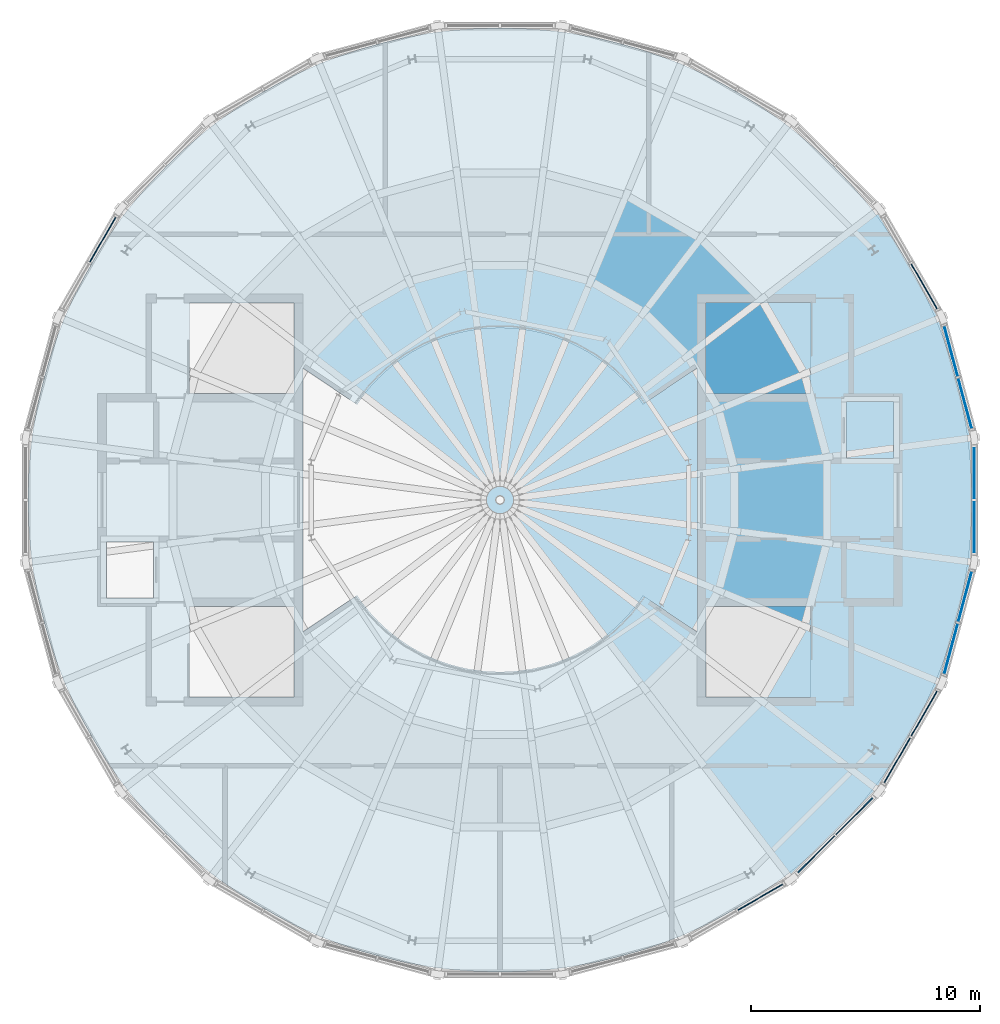
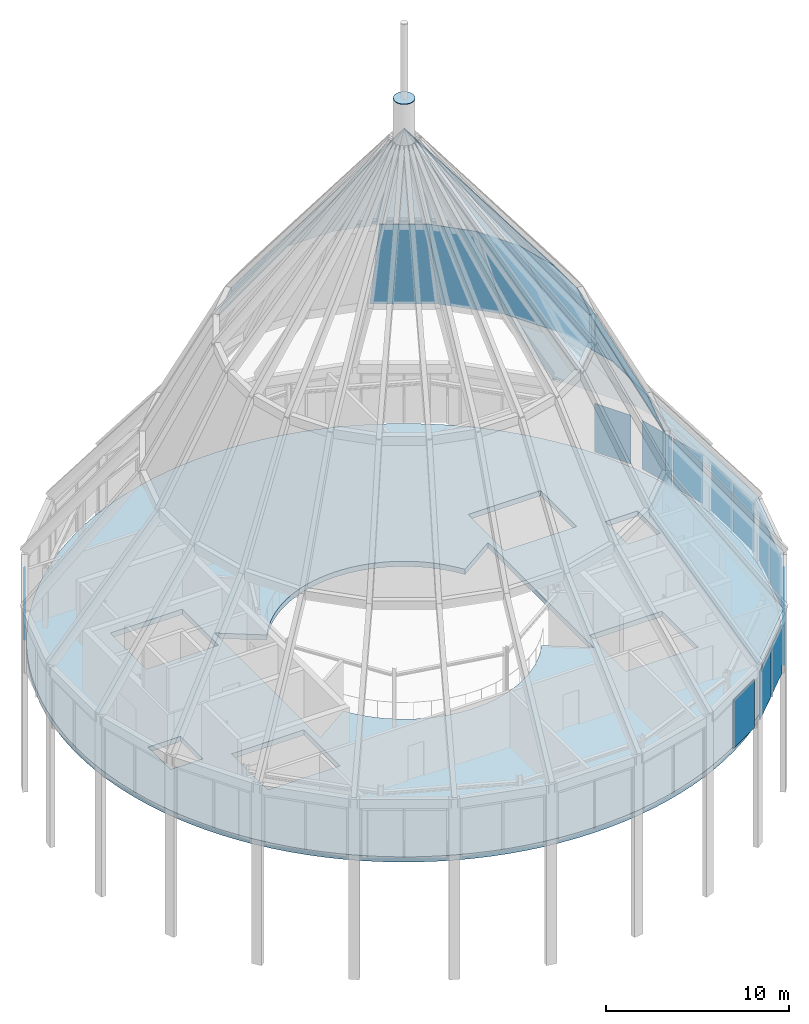
# One storey, part 12 of 16: 39 plates, 1 slab, 8 elements without a shape of their own.
"""IFC4 building model written with IfcOpenShell, lengths in metres."""

from ifc_helpers import new_model, si_unit, direction, frame, origin, origin_2d, place, context, subcontext, project, spatial, polyline, rectangle, outline, extrude, material, layer, layer_set, type_object, element, aggregate, save


model = new_model("IFC4")

# Units and contexts
model_context = context("Model", 3, precision=1e-05, world=origin(), true_north=direction((0.0, 1.0)))
body_context = subcontext(model_context, "Body", "Model", "MODEL_VIEW")
ifc_project = project(units=[si_unit("LENGTHUNIT", "METRE"), si_unit("AREAUNIT", "SQUARE_METRE"), si_unit("VOLUMEUNIT", "CUBIC_METRE"), si_unit("PLANEANGLEUNIT", "RADIAN"), si_unit("MASSUNIT", "GRAM", prefix="KILO")], contexts=[model_context])

# Site, building, storey
site_placement = place(None, origin())
site = spatial("IfcSite", under=ifc_project, at=site_placement, CompositionType="ELEMENT")
building_placement = place(site_placement, origin())
building = spatial("IfcBuilding", under=site, at=building_placement, Name="Maasbend Ring Residences", CompositionType="ELEMENT")
storey_placement = place(building_placement, frame((0.0, 0.0, 269.5)))
storey = spatial("IfcBuildingStorey", under=building, at=storey_placement, Name="L77", CompositionType="ELEMENT", Elevation=269.5)

# Plates
ifc_material_1 = material(Name="Steel S355J2", Category="steel")
ifc_layer_1 = layer(ifc_material_1, 0.0400390625)
ifc_layer_set_1 = layer_set([ifc_layer_1], Name="Steel S355J2")
plate_type_1 = type_object("IfcPlateType", Name="CROWN-CAP", PredefinedType="USERDEFINED", material=ifc_layer_set_1)
plate_1_placement = place(storey_placement, frame((0.0, 0.0, 36.06005859375)))
element("IfcPlate", 1, at=plate_1_placement, inside=storey, type_object=plate_type_1, Name="Crown frame cap", ObjectType="CROWN FRAME", PredefinedType="USERDEFINED", context=body_context, shape_type="SweptSolid", body=[
    extrude(outline(polyline([(0.60009765625, 0.0), (0.57958984375, 0.1552734375), (0.51953125, 0.300048828125), (0.42431640625, 0.42431640625), (0.300048828125, 0.51953125), (0.1552734375, 0.57958984375), (0.0, 0.60009765625), (-0.1552734375, 0.57958984375), (-0.300048828125, 0.51953125), (-0.42431640625, 0.42431640625), (-0.51953125, 0.300048828125), (-0.57958984375, 0.1552734375), (-0.60009765625, 0.0), (-0.57958984375, -0.1552734375), (-0.51953125, -0.300048828125), (-0.42431640625, -0.42431640625), (-0.300048828125, -0.51953125), (-0.1552734375, -0.57958984375), (0.0, -0.60009765625), (0.1552734375, -0.57958984375), (0.300048828125, -0.51953125), (0.42431640625, -0.42431640625), (0.51953125, -0.300048828125), (0.57958984375, -0.1552734375), (0.60009765625, 0.0)])), origin(), (0.0, 0.0, 1.0), 0.0400390625),
])
ifc_material_2 = material(Name="Glass clear laminated", Category="glass")
ifc_layer_2 = layer(ifc_material_2, 0.044921875)
ifc_layer_set_2 = layer_set([ifc_layer_2], Name="CROWN-GLASS")
plate_type_2 = type_object("IfcPlateType", Name="CROWN-GLASS", PredefinedType="SHEET", material=ifc_layer_set_2)
plate_2_placement = place(storey_placement, frame((20.69140625, 2.72412109375, 4.0), z_axis=(0.767912969767, 0.205755374284, 0.606608932359), x_axis=(-0.258819846719, 0.965925611432, 1.10968e-05)))
element("IfcPlate", 2, at=plate_2_placement, inside=storey, type_object=plate_type_2, Name="Crown glazing sheet", PredefinedType="SHEET", context=body_context, shape_type="SweptSolid", body=[
    extrude(outline(polyline([(0.0, 0.0), (5.448112790301781, -1.1102230246251565e-16), (4.601567506838512, 10.60116154982748), (0.8467106041572189, 10.601290007020706), (0.0, 0.0)])), origin(), (0.0, 0.0, -1.0), 0.044921875),
])
plate_3_placement = place(storey_placement, frame((14.260498046875, 1.87744140625, 12.427978515625), z_axis=(0.865821604581, 0.231991613921, 0.443320245547), x_axis=(-0.25880742201, 0.965928940506, -1.4338257e-05)))
element("IfcPlate", 3, at=plate_3_placement, inside=storey, type_object=plate_type_2, Name="Crown glazing sheet", PredefinedType="SHEET", context=body_context, shape_type="SweptSolid", body=[
    extrude(outline(polyline([(0.0, 0.0), (3.7548569042373616, 0.0), (3.2254789158718347, 9.066635595863435), (0.5290774615641951, 9.066532401320881), (0.0, 0.0)])), origin(), (0.0, 0.0, -1.0), 0.044921875),
])
plate_4_placement = place(storey_placement, frame((10.2412109375, 1.348388671875, 20.554931640625), z_axis=(0.770478310487, 0.206486453851, 0.603097436112), x_axis=(-0.258862805663, 0.96591409962, 0.0)))
element("IfcPlate", 4, at=plate_4_placement, inside=storey, type_object=plate_type_2, Name="Crown glazing sheet", PredefinedType="SHEET", context=body_context, shape_type="SweptSolid", body=[
    extrude(outline(polyline([(0.0, 0.0), (2.6964014590171566, -5.551115123125783e-17), (1.348640966736256, 16.980967092910035), (0.0, 0.0)])), origin(), (0.0, 0.0, -1.0), 0.044921875),
])
plate_5_placement = place(storey_placement, frame((19.28125, 7.986572265625, 4.0), z_axis=(0.688495625981, 0.397490490515, 0.606609497911), x_axis=(-0.499981684888, 0.866035977707, -9.664316e-06)))
element("IfcPlate", 5, at=plate_5_placement, inside=storey, type_object=plate_type_2, Name="Crown glazing sheet", PredefinedType="SHEET", context=body_context, shape_type="SweptSolid", body=[
    extrude(outline(polyline([(0.0, 0.0), (5.448072989126844, 0.0), (4.60115268365316, 10.601287467105307), (0.8463693965755011, 10.601175593745907), (0.0, 0.0)])), origin(), (0.0, 0.0, -1.0), 0.044921875),
])
plate_6_placement = place(storey_placement, frame((13.288818359375, 5.50439453125, 12.427978515625), z_axis=(0.776282381742, 0.448164423316, 0.443321907276), x_axis=(-0.49998753304, 0.866032601343, 1.468828e-05)))
element("IfcPlate", 6, at=plate_6_placement, inside=storey, type_object=plate_type_2, Name="Crown glazing sheet", PredefinedType="SHEET", context=body_context, shape_type="SweptSolid", body=[
    extrude(outline(polyline([(0.0, 0.0), (3.7547832876865948, 0.0), (3.22584460832971, 9.066539453562845), (0.5292139877502429, 9.066645169917328), (0.0, 0.0)])), origin(), (0.0, 0.0, -1.0), 0.044921875),
])
plate_7_placement = place(storey_placement, frame((9.543212890625, 3.952880859375, 20.554931640625), z_axis=(0.690828865447, 0.398782876333, 0.60309841337), x_axis=(-0.499936668556, 0.866061965123, 0.0)))
element("IfcPlate", 7, at=plate_7_placement, inside=storey, type_object=plate_type_2, Name="Crown glazing sheet", PredefinedType="SHEET", context=body_context, shape_type="SweptSolid", body=[
    extrude(outline(polyline([(0.0, 0.0), (2.696630625521276, 0.0), (1.347562294894939, 16.980982822452425), (0.0, 0.0)])), origin(), (0.0, 0.0, -1.0), 0.044921875),
])
plate_8_placement = place(storey_placement, frame((11.411376953125, 8.756103515625, 12.427978515625), z_axis=(0.633829130481, 0.633829130481, 0.443307192257), x_axis=(-0.707106781187, 0.707106781187, 0.0)))
element("IfcPlate", 8, at=plate_8_placement, inside=storey, type_object=plate_type_2, Name="Crown glazing sheet", PredefinedType="SHEET", context=body_context, shape_type="SweptSolid", body=[
    extrude(outline(polyline([(0.0, 0.0), (3.755123707121529, 0.0), (3.225829422180622, 9.06651870151586), (0.529294284940907, 9.06651870151586), (0.0, 0.0)])), origin(), (0.0, 0.0, -1.0), 0.044921875),
])
plate_9_placement = place(storey_placement, frame((8.195068359375, 6.288330078125, 20.554931640625), z_axis=(0.564033482076, 0.564033482076, 0.603102364606), x_axis=(-0.707106781187, 0.707106781187, 0.0)))
element("IfcPlate", 9, at=plate_9_placement, inside=storey, type_object=plate_type_2, Name="Crown glazing sheet", PredefinedType="SHEET", context=body_context, shape_type="SweptSolid", body=[
    extrude(outline(polyline([(0.0, 0.0), (2.696535137239715, 0.0), (1.3482675686198569, 16.981046420657684), (0.0, 0.0)])), origin(), (0.0, 0.0, -1.0), 0.044921875),
])
plate_10_placement = place(storey_placement, frame((8.756103515625, 11.411376953125, 12.427978515625), z_axis=(0.448164423316, 0.776282381742, 0.443321907276), x_axis=(-0.866032601343, 0.49998753304, -1.468828e-05)))
element("IfcPlate", 10, at=plate_10_placement, inside=storey, type_object=plate_type_2, Name="Crown glazing sheet", PredefinedType="SHEET", context=body_context, shape_type="SweptSolid", body=[
    extrude(outline(polyline([(0.0, 0.0), (3.7547832876865948, 0.0), (3.2255692999363523, 9.066645169917328), (0.5289386793568851, 9.066539453562845), (0.0, 0.0)])), origin(), (0.0, 0.0, -1.0), 0.044921875),
])
plate_11_placement = place(storey_placement, frame((6.288330078125, 8.195068359375, 20.554931640625), z_axis=(0.398782876333, 0.690828865447, 0.60309841337), x_axis=(-0.866061965123, 0.499936668556, 0.0)))
element("IfcPlate", 11, at=plate_11_placement, inside=storey, type_object=plate_type_2, Name="Crown glazing sheet", PredefinedType="SHEET", context=body_context, shape_type="SweptSolid", body=[
    extrude(outline(polyline([(0.0, 0.0), (2.696630625521276, 0.0), (1.3490683306263374, 16.980982822452425), (0.0, 0.0)])), origin(), (0.0, 0.0, -1.0), 0.044921875),
])
plate_12_placement = place(storey_placement, frame((3.952880859375, 9.543212890625, 20.554931640625), z_axis=(0.206486453851, 0.770478310487, 0.603097436112), x_axis=(-0.96591409962, 0.258862805663, 0.0)))
element("IfcPlate", 12, at=plate_12_placement, inside=storey, type_object=plate_type_2, Name="Crown glazing sheet", PredefinedType="SHEET", context=body_context, shape_type="SweptSolid", body=[
    extrude(outline(polyline([(0.0, 0.0), (2.6964014590171566, 5.551115123125783e-17), (1.3477604922809001, 16.980967092910035), (0.0, 0.0)])), origin(), (0.0, 0.0, -1.0), 0.044921875),
])
plate_13_placement = place(storey_placement, frame((1.348388671875, 10.2412109375, 20.554931640625), z_axis=(0.0, 0.797666585173, 0.603098680897), x_axis=(-1.0, 0.0, 0.0)))
element("IfcPlate", 13, at=plate_13_placement, inside=storey, type_object=plate_type_2, Name="Crown glazing sheet", PredefinedType="SHEET", context=body_context, shape_type="SweptSolid", body=[
    extrude(outline(polyline([(0.0, 0.0), (2.69677734375, 0.0), (1.348388671875, 16.980987128468474), (0.0, 0.0)])), origin(), (0.0, 0.0, -1.0), 0.044921875),
])
plate_14_placement = place(storey_placement, frame((-1.348388671875, 10.2412109375, 20.554931640625), z_axis=(-0.206486453851, 0.770478310487, 0.603097436112), x_axis=(-0.96591409962, -0.258862805663, 0.0)))
element("IfcPlate", 14, at=plate_14_placement, inside=storey, type_object=plate_type_2, Name="Crown glazing sheet", PredefinedType="SHEET", context=body_context, shape_type="SweptSolid", body=[
    extrude(outline(polyline([(0.0, 0.0), (2.6964014590171566, -5.551115123125783e-17), (1.348640966736256, 16.980967092910035), (0.0, 0.0)])), origin(), (0.0, 0.0, -1.0), 0.044921875),
])
plate_15_placement = place(storey_placement, frame((-3.952880859375, 9.543212890625, 20.554931640625), z_axis=(-0.398782876333, 0.690828865447, 0.60309841337), x_axis=(-0.866061965123, -0.499936668556, 0.0)))
element("IfcPlate", 15, at=plate_15_placement, inside=storey, type_object=plate_type_2, Name="Crown glazing sheet", PredefinedType="SHEET", context=body_context, shape_type="SweptSolid", body=[
    extrude(outline(polyline([(0.0, 0.0), (2.696630625521276, 0.0), (1.347562294894939, 16.980982822452425), (0.0, 0.0)])), origin(), (0.0, 0.0, -1.0), 0.044921875),
])
plate_16_placement = place(storey_placement, frame((-6.288330078125, 8.195068359375, 20.554931640625), z_axis=(-0.564033482076, 0.564033482076, 0.603102364606), x_axis=(-0.707106781187, -0.707106781187, 0.0)))
element("IfcPlate", 16, at=plate_16_placement, inside=storey, type_object=plate_type_2, Name="Crown glazing sheet", PredefinedType="SHEET", context=body_context, shape_type="SweptSolid", body=[
    extrude(outline(polyline([(0.0, 0.0), (2.696535137239715, 0.0), (1.3482675686198569, 16.981046420657684), (0.0, 0.0)])), origin(), (0.0, 0.0, -1.0), 0.044921875),
])
plate_17_placement = place(storey_placement, frame((12.704833984375, -16.557373046875, 4.0), z_axis=(0.562145508839, -0.562145508839, 0.606617551498), x_axis=(0.707106781187, 0.707106781187, 0.0)))
element("IfcPlate", 17, at=plate_17_placement, inside=storey, type_object=plate_type_2, Name="Crown glazing sheet", PredefinedType="SHEET", context=body_context, shape_type="SweptSolid", body=[
    extrude(outline(polyline([(0.0, 0.0), (5.44831299175963, 0.0), (4.60171834944058, 10.601313479147674), (0.84659464231905, 10.601313479147672), (0.0, 0.0)])), origin(), (0.0, 0.0, -1.0), 0.044921875),
])
plate_18_placement = place(storey_placement, frame((6.288330078125, -8.195068359375, 20.554931640625), z_axis=(0.564033482076, -0.564033482076, 0.603102364606), x_axis=(0.707106781187, 0.707106781187, 0.0)))
element("IfcPlate", 18, at=plate_18_placement, inside=storey, type_object=plate_type_2, Name="Crown glazing sheet", PredefinedType="SHEET", context=body_context, shape_type="SweptSolid", body=[
    extrude(outline(polyline([(0.0, 0.0), (2.696535137239715, 0.0), (1.3482675686198569, 16.981046420657684), (0.0, 0.0)])), origin(), (0.0, 0.0, -1.0), 0.044921875),
])
plate_19_placement = place(storey_placement, frame((16.557373046875, -12.704833984375, 4.0), z_axis=(0.688495625981, -0.397490490515, 0.606609497911), x_axis=(0.499981684888, 0.866035977707, 9.664316e-06)))
element("IfcPlate", 19, at=plate_19_placement, inside=storey, type_object=plate_type_2, Name="Crown glazing sheet", PredefinedType="SHEET", context=body_context, shape_type="SweptSolid", body=[
    extrude(outline(polyline([(0.0, 0.0), (5.448072989126844, 0.0), (4.601703592551343, 10.601175593745907), (0.8469203054736861, 10.601287467105307), (0.0, 0.0)])), origin(), (0.0, 0.0, -1.0), 0.044921875),
])
plate_20_placement = place(storey_placement, frame((8.195068359375, -6.288330078125, 20.554931640625), z_axis=(0.690828865447, -0.398782876333, 0.60309841337), x_axis=(0.499936668556, 0.866061965123, 0.0)))
element("IfcPlate", 20, at=plate_20_placement, inside=storey, type_object=plate_type_2, Name="Crown glazing sheet", PredefinedType="SHEET", context=body_context, shape_type="SweptSolid", body=[
    extrude(outline(polyline([(0.0, 0.0), (2.696630625521276, 0.0), (1.3490683306263374, 16.980982822452425), (0.0, 0.0)])), origin(), (0.0, 0.0, -1.0), 0.044921875),
])
plate_21_placement = place(storey_placement, frame((19.28125, -7.986572265625, 4.0), z_axis=(0.767912969767, -0.205755374284, 0.606608932359), x_axis=(0.258819846719, 0.965925611432, -1.10968e-05)))
element("IfcPlate", 21, at=plate_21_placement, inside=storey, type_object=plate_type_2, Name="Crown glazing sheet", PredefinedType="SHEET", context=body_context, shape_type="SweptSolid", body=[
    extrude(outline(polyline([(0.0, 0.0), (5.448112790301781, 1.1102230246251565e-16), (4.601402186144563, 10.601290007020706), (0.84654528346327, 10.60116154982748), (0.0, 0.0)])), origin(), (0.0, 0.0, -1.0), 0.044921875),
])
plate_22_placement = place(storey_placement, frame((13.288818359375, -5.50439453125, 12.427978515625), z_axis=(0.865821604581, -0.231991613921, 0.443320245547), x_axis=(0.25880742201, 0.965928940506, 1.4338257e-05)))
element("IfcPlate", 22, at=plate_22_placement, inside=storey, type_object=plate_type_2, Name="Crown glazing sheet", PredefinedType="SHEET", context=body_context, shape_type="SweptSolid", body=[
    extrude(outline(polyline([(0.0, 0.0), (3.7548569042373616, 0.0), (3.2257794426731663, 9.066532401320881), (0.5293779883655266, 9.066635595863435), (0.0, 0.0)])), origin(), (0.0, 0.0, -1.0), 0.044921875),
])
plate_23_placement = place(storey_placement, frame((9.543212890625, -3.952880859375, 20.554931640625), z_axis=(0.770478310487, -0.206486453851, 0.603097436112), x_axis=(0.258862805663, 0.96591409962, 0.0)))
element("IfcPlate", 23, at=plate_23_placement, inside=storey, type_object=plate_type_2, Name="Crown glazing sheet", PredefinedType="SHEET", context=body_context, shape_type="SweptSolid", body=[
    extrude(outline(polyline([(0.0, 0.0), (2.6964014590171566, 5.551115123125783e-17), (1.3477604922809001, 16.980967092910035), (0.0, 0.0)])), origin(), (0.0, 0.0, -1.0), 0.044921875),
])
plate_24_placement = place(storey_placement, frame((20.69140625, -2.72412109375, 4.0), z_axis=(0.794995377605, 0.0, 0.606615487428), x_axis=(0.0, 1.0, 0.0)))
element("IfcPlate", 24, at=plate_24_placement, inside=storey, type_object=plate_type_2, Name="Crown glazing sheet", PredefinedType="SHEET", context=body_context, shape_type="SweptSolid", body=[
    extrude(outline(polyline([(0.0, 0.0), (5.4482421875, 0.0), (4.6015625, 10.601292476715138), (0.8466796875, 10.601292476715138), (0.0, 0.0)])), origin(), (0.0, 0.0, -1.0), 0.044921875),
])
plate_25_placement = place(storey_placement, frame((14.260498046875, -1.87744140625, 12.427978515625), z_axis=(0.896368255376, 0.0, 0.443310219546), x_axis=(0.0, 1.0, 0.0)))
element("IfcPlate", 25, at=plate_25_placement, inside=storey, type_object=plate_type_2, Name="Crown glazing sheet", PredefinedType="SHEET", context=body_context, shape_type="SweptSolid", body=[
    extrude(outline(polyline([(0.0, 0.0), (3.7548828125, 0.0), (3.225830078125, 9.066533845055414), (0.529052734375, 9.066533845055414), (0.0, 0.0)])), origin(), (0.0, 0.0, -1.0), 0.044921875),
])
plate_26_placement = place(storey_placement, frame((10.2412109375, -1.348388671875, 20.554931640625), z_axis=(0.797666585173, 0.0, 0.603098680897), x_axis=(0.0, 1.0, 0.0)))
element("IfcPlate", 26, at=plate_26_placement, inside=storey, type_object=plate_type_2, Name="Crown glazing sheet", PredefinedType="SHEET", context=body_context, shape_type="SweptSolid", body=[
    extrude(outline(polyline([(0.0, 0.0), (2.69677734375, 0.0), (1.348388671875, 16.980987128468474), (0.0, 0.0)])), origin(), (0.0, 0.0, -1.0), 0.044921875),
])

# Curtain wall, plates
ifc_material_3 = material(Name="Aluminium and clear glass", Category="aluminium")
ifc_layer_3 = layer(ifc_material_3, 0.239990234375)
ifc_layer_set_3 = layer_set([ifc_layer_3], Name="CW-CN")
curtain_wall_type = type_object("IfcCurtainWallType", Name="CW-CN", PredefinedType="NOTDEFINED", material=ifc_layer_set_3)
curtain_wall_1_placement = place(storey_placement, origin())
curtain_wall_1 = element("IfcCurtainWall", 27, at=curtain_wall_1_placement, inside=storey, type_object=curtain_wall_type, Name="Crown drum glazing 01 L77", PredefinedType="NOTDEFINED")
ifc_material_4 = material(Name="Glass clear laminated", Category="glass")
ifc_layer_4 = layer(ifc_material_4, 0.0400390625)
ifc_layer_set_4 = layer_set([ifc_layer_4], Name="CWP-CN")
plate_type_3 = type_object("IfcPlateType", Name="CWP-CN", PredefinedType="CURTAIN_PANEL", material=ifc_layer_set_4)
plate_27_placement = place(storey_placement, frame((20.291748046875, 4.216064453125, 0.0), z_axis=(0.0, 0.0, 1.0), x_axis=(-0.258819045103, 0.965925826289, 0.0)))
plate_27 = element("IfcPlate", 28, at=plate_27_placement, type_object=plate_type_3, Name="Glass panel crown cone", PredefinedType="CURTAIN_PANEL", context=body_context, shape_type="SweptSolid", body=[
    extrude(rectangle(XDim=2.26904296875, YDim=0.0400390625, at=origin_2d()), origin(), (0.0, 0.0, 1.0), 3.239990234375),
])
plate_28_placement = place(storey_placement, frame((19.68115234375, 6.49462890625, 0.0), z_axis=(0.0, 0.0, 1.0), x_axis=(-0.258819045103, 0.965925826289, 0.0)))
plate_28 = element("IfcPlate", 29, at=plate_28_placement, type_object=plate_type_3, Name="Glass panel crown cone", PredefinedType="CURTAIN_PANEL", context=body_context, shape_type="SweptSolid", body=[
    extrude(rectangle(XDim=2.26904296875, YDim=0.0400390625, at=origin_2d()), origin(), (0.0, 0.0, 1.0), 3.239990234375),
])
aggregate(curtain_wall_1, [plate_27, plate_28])

# Curtain wall, plate
curtain_wall_2_placement = place(storey_placement, origin())
curtain_wall_2 = element("IfcCurtainWall", 30, at=curtain_wall_2_placement, inside=storey, type_object=curtain_wall_type, Name="Crown drum glazing 02 L77", PredefinedType="NOTDEFINED")
plate_29_placement = place(storey_placement, frame((18.509033203125, 9.32421875, 0.0), z_axis=(0.0, 0.0, 1.0), x_axis=(-0.5, 0.866025403784, 0.0)))
plate_29 = element("IfcPlate", 31, at=plate_29_placement, type_object=plate_type_3, Name="Glass panel crown cone", PredefinedType="CURTAIN_PANEL", context=body_context, shape_type="SweptSolid", body=[
    extrude(rectangle(XDim=2.26904296875, YDim=0.0400390625, at=origin_2d()), origin(), (0.0, 0.0, 1.0), 3.239990234375),
])
aggregate(curtain_wall_2, [plate_29])

curtain_wall_3_placement = place(storey_placement, origin())
curtain_wall_3 = element("IfcCurtainWall", 32, at=curtain_wall_3_placement, inside=storey, type_object=curtain_wall_type, Name="Crown drum glazing 10 L77", PredefinedType="NOTDEFINED")
plate_30_placement = place(storey_placement, frame((-17.32958984375, 11.3671875, 0.0), z_axis=(0.0, 0.0, 1.0), x_axis=(-0.5, -0.866025403784, 0.0)))
plate_30 = element("IfcPlate", 33, at=plate_30_placement, type_object=plate_type_3, Name="Glass panel crown cone", PredefinedType="CURTAIN_PANEL", context=body_context, shape_type="SweptSolid", body=[
    extrude(rectangle(XDim=2.26904296875, YDim=0.0400390625, at=origin_2d()), origin(), (0.0, 0.0, 1.0), 3.239990234375),
])
aggregate(curtain_wall_3, [plate_30])

curtain_wall_4_placement = place(storey_placement, origin())
curtain_wall_4 = element("IfcCurtainWall", 34, at=curtain_wall_4_placement, inside=storey, type_object=curtain_wall_type, Name="Crown drum glazing 20 L77", PredefinedType="NOTDEFINED")
plate_31_placement = place(storey_placement, frame((11.3671875, -17.32958984375, 0.0), z_axis=(0.0, 0.0, 1.0), x_axis=(0.866025403784, 0.5, 0.0)))
plate_31 = element("IfcPlate", 35, at=plate_31_placement, type_object=plate_type_3, Name="Glass panel crown cone", PredefinedType="CURTAIN_PANEL", context=body_context, shape_type="SweptSolid", body=[
    extrude(rectangle(XDim=2.26904296875, YDim=0.0400390625, at=origin_2d()), origin(), (0.0, 0.0, 1.0), 3.239990234375),
])
aggregate(curtain_wall_4, [plate_31])

# Curtain wall, plates
curtain_wall_5_placement = place(storey_placement, origin())
curtain_wall_5 = element("IfcCurtainWall", 36, at=curtain_wall_5_placement, inside=storey, type_object=curtain_wall_type, Name="Crown drum glazing 21 L77", PredefinedType="NOTDEFINED")
plate_32_placement = place(storey_placement, frame((13.797119140625, -15.465087890625, 0.0), z_axis=(0.0, 0.0, 1.0), x_axis=(0.707106781187, 0.707106781187, 0.0)))
plate_32 = element("IfcPlate", 37, at=plate_32_placement, type_object=plate_type_3, Name="Glass panel crown cone", PredefinedType="CURTAIN_PANEL", context=body_context, shape_type="SweptSolid", body=[
    extrude(rectangle(XDim=2.26904296875, YDim=0.0400390625, at=origin_2d()), origin(), (0.0, 0.0, 1.0), 3.239990234375),
])
plate_33_placement = place(storey_placement, frame((15.465087890625, -13.797119140625, 0.0), z_axis=(0.0, 0.0, 1.0), x_axis=(0.707106781187, 0.707106781187, 0.0)))
plate_33 = element("IfcPlate", 38, at=plate_33_placement, type_object=plate_type_3, Name="Glass panel crown cone", PredefinedType="CURTAIN_PANEL", context=body_context, shape_type="SweptSolid", body=[
    extrude(rectangle(XDim=2.26904296875, YDim=0.0400390625, at=origin_2d()), origin(), (0.0, 0.0, 1.0), 3.239990234375),
])
aggregate(curtain_wall_5, [plate_32, plate_33])

curtain_wall_6_placement = place(storey_placement, origin())
curtain_wall_6 = element("IfcCurtainWall", 39, at=curtain_wall_6_placement, inside=storey, type_object=curtain_wall_type, Name="Crown drum glazing 22 L77", PredefinedType="NOTDEFINED")
plate_34_placement = place(storey_placement, frame((17.32958984375, -11.3671875, 0.0), z_axis=(0.0, 0.0, 1.0), x_axis=(0.5, 0.866025403784, 0.0)))
plate_34 = element("IfcPlate", 40, at=plate_34_placement, type_object=plate_type_3, Name="Glass panel crown cone", PredefinedType="CURTAIN_PANEL", context=body_context, shape_type="SweptSolid", body=[
    extrude(rectangle(XDim=2.26904296875, YDim=0.0400390625, at=origin_2d()), origin(), (0.0, 0.0, 1.0), 3.239990234375),
])
plate_35_placement = place(storey_placement, frame((18.509033203125, -9.32421875, 0.0), z_axis=(0.0, 0.0, 1.0), x_axis=(0.5, 0.866025403784, 0.0)))
plate_35 = element("IfcPlate", 41, at=plate_35_placement, type_object=plate_type_3, Name="Glass panel crown cone", PredefinedType="CURTAIN_PANEL", context=body_context, shape_type="SweptSolid", body=[
    extrude(rectangle(XDim=2.26904296875, YDim=0.0400390625, at=origin_2d()), origin(), (0.0, 0.0, 1.0), 3.239990234375),
])
aggregate(curtain_wall_6, [plate_34, plate_35])

curtain_wall_7_placement = place(storey_placement, origin())
curtain_wall_7 = element("IfcCurtainWall", 42, at=curtain_wall_7_placement, inside=storey, type_object=curtain_wall_type, Name="Crown drum glazing 23 L77", PredefinedType="NOTDEFINED")
plate_36_placement = place(storey_placement, frame((19.68115234375, -6.49462890625, 0.0), z_axis=(0.0, 0.0, 1.0), x_axis=(0.258819045103, 0.965925826289, 0.0)))
plate_36 = element("IfcPlate", 43, at=plate_36_placement, type_object=plate_type_3, Name="Glass panel crown cone", PredefinedType="CURTAIN_PANEL", context=body_context, shape_type="SweptSolid", body=[
    extrude(rectangle(XDim=2.26904296875, YDim=0.0400390625, at=origin_2d()), origin(), (0.0, 0.0, 1.0), 3.239990234375),
])
plate_37_placement = place(storey_placement, frame((20.291748046875, -4.216064453125, 0.0), z_axis=(0.0, 0.0, 1.0), x_axis=(0.258819045103, 0.965925826289, 0.0)))
plate_37 = element("IfcPlate", 44, at=plate_37_placement, type_object=plate_type_3, Name="Glass panel crown cone", PredefinedType="CURTAIN_PANEL", context=body_context, shape_type="SweptSolid", body=[
    extrude(rectangle(XDim=2.26904296875, YDim=0.0400390625, at=origin_2d()), origin(), (0.0, 0.0, 1.0), 3.239990234375),
])
aggregate(curtain_wall_7, [plate_36, plate_37])

curtain_wall_8_placement = place(storey_placement, origin())
curtain_wall_8 = element("IfcCurtainWall", 45, at=curtain_wall_8_placement, inside=storey, type_object=curtain_wall_type, Name="Crown drum glazing 24 L77", PredefinedType="NOTDEFINED")
plate_38_placement = place(storey_placement, frame((20.69140625, -1.179443359375, 0.0), z_axis=(0.0, 0.0, 1.0), x_axis=(0.0, 1.0, 0.0)))
plate_38 = element("IfcPlate", 46, at=plate_38_placement, type_object=plate_type_3, Name="Glass panel crown cone", PredefinedType="CURTAIN_PANEL", context=body_context, shape_type="SweptSolid", body=[
    extrude(rectangle(XDim=2.26904296875, YDim=0.0400390625, at=origin_2d()), origin(), (0.0, 0.0, 1.0), 3.239990234375),
])
plate_39_placement = place(storey_placement, frame((20.69140625, 1.179443359375, 0.0), z_axis=(0.0, 0.0, 1.0), x_axis=(0.0, 1.0, 0.0)))
plate_39 = element("IfcPlate", 47, at=plate_39_placement, type_object=plate_type_3, Name="Glass panel crown cone", PredefinedType="CURTAIN_PANEL", context=body_context, shape_type="SweptSolid", body=[
    extrude(rectangle(XDim=2.26904296875, YDim=0.0400390625, at=origin_2d()), origin(), (0.0, 0.0, 1.0), 3.239990234375),
])
aggregate(curtain_wall_8, [plate_38, plate_39])

# Slab
ifc_material_5 = material(Name="Concrete C40/50", Category="concrete")
ifc_layer_5 = layer(ifc_material_5, 0.35009765625)
ifc_layer_set_5 = layer_set([ifc_layer_5], Name="Concrete C40/50")
slab_type = type_object("IfcSlabType", Name="Post-tensioned flat plate 350", PredefinedType="FLOOR", material=ifc_layer_set_5)
slab_placement = place(storey_placement, frame((0.0, 0.0, -0.35009765625)))
element("IfcSlab", 48, at=slab_placement, inside=storey, type_object=slab_type, Name="Floor slab L77", PredefinedType="FLOOR", context=body_context, shape_type="SweptSolid", body=[
    extrude(outline(polyline([(19.982666015625, -5.00537109375), (20.2041015625, -4.018798828125), (20.376953125, -3.022705078125), (20.500732421875, -2.019287109375), (20.5751953125, -1.0107421875), (20.60009765625, 0.0), (20.5751953125, 1.0107421875), (20.500732421875, 2.019287109375), (20.376953125, 3.022705078125), (20.2041015625, 4.018798828125), (19.982666015625, 5.00537109375), (19.712890625, 5.97998046875), (19.395751953125, 6.93994140625), (19.031982421875, 7.88330078125), (18.622314453125, 8.8076171875), (18.16748046875, 9.710693359375), (17.669189453125, 10.590576171875), (17.12841796875, 11.444580078125), (16.546142578125, 12.271484375), (15.924072265625, 13.068603515625), (15.263671875, 13.833984375), (14.56640625, 14.56640625), (13.833984375, 15.263671875), (13.068603515625, 15.924072265625), (12.271484375, 16.546142578125), (11.444580078125, 17.12841796875), (10.590576171875, 17.669189453125), (9.710693359375, 18.16748046875), (8.8076171875, 18.622314453125), (7.88330078125, 19.031982421875), (6.93994140625, 19.395751953125), (5.97998046875, 19.712890625), (5.00537109375, 19.982666015625), (4.018798828125, 20.2041015625), (3.022705078125, 20.376953125), (2.019287109375, 20.500732421875), (1.0107421875, 20.5751953125), (0.0, 20.60009765625), (-1.0107421875, 20.5751953125), (-2.019287109375, 20.500732421875), (-3.022705078125, 20.376953125), (-4.018798828125, 20.2041015625), (-5.00537109375, 19.982666015625), (-5.97998046875, 19.712890625), (-6.93994140625, 19.395751953125), (-7.88330078125, 19.031982421875), (-8.8076171875, 18.622314453125), (-9.710693359375, 18.16748046875), (-10.590576171875, 17.669189453125), (-11.444580078125, 17.12841796875), (-12.271484375, 16.546142578125), (-13.068603515625, 15.924072265625), (-13.833984375, 15.263671875), (-14.56640625, 14.56640625), (-15.263671875, 13.833984375), (-15.924072265625, 13.068603515625), (-16.546142578125, 12.271484375), (-17.12841796875, 11.444580078125), (-17.669189453125, 10.590576171875), (-18.16748046875, 9.710693359375), (-18.622314453125, 8.8076171875), (-19.031982421875, 7.88330078125), (-19.395751953125, 6.93994140625), (-19.712890625, 5.97998046875), (-19.982666015625, 5.00537109375), (-20.2041015625, 4.018798828125), (-20.376953125, 3.022705078125), (-20.500732421875, 2.019287109375), (-20.5751953125, 1.0107421875), (-20.60009765625, 0.0), (-20.5751953125, -1.0107421875), (-20.500732421875, -2.019287109375), (-20.376953125, -3.022705078125), (-20.2041015625, -4.018798828125), (-19.982666015625, -5.00537109375), (-19.712890625, -5.97998046875), (-19.395751953125, -6.93994140625), (-19.031982421875, -7.88330078125), (-18.622314453125, -8.8076171875), (-18.16748046875, -9.710693359375), (-17.669189453125, -10.590576171875), (-17.12841796875, -11.444580078125), (-16.546142578125, -12.271484375), (-15.924072265625, -13.068603515625), (-15.263671875, -13.833984375), (-14.56640625, -14.56640625), (-13.833984375, -15.263671875), (-13.068603515625, -15.924072265625), (-12.271484375, -16.546142578125), (-11.444580078125, -17.12841796875), (-10.590576171875, -17.669189453125), (-9.710693359375, -18.16748046875), (-8.8076171875, -18.622314453125), (-7.88330078125, -19.031982421875), (-6.93994140625, -19.395751953125), (-5.97998046875, -19.712890625), (-5.00537109375, -19.982666015625), (-4.018798828125, -20.2041015625), (-3.022705078125, -20.376953125), (-2.019287109375, -20.500732421875), (-1.0107421875, -20.5751953125), (0.0, -20.60009765625), (1.0107421875, -20.5751953125), (2.019287109375, -20.500732421875), (3.022705078125, -20.376953125), (4.018798828125, -20.2041015625), (5.00537109375, -19.982666015625), (5.97998046875, -19.712890625), (6.93994140625, -19.395751953125), (7.88330078125, -19.031982421875), (8.8076171875, -18.622314453125), (9.710693359375, -18.16748046875), (10.590576171875, -17.669189453125), (11.444580078125, -17.12841796875), (12.271484375, -16.546142578125), (13.068603515625, -15.924072265625), (13.833984375, -15.263671875), (14.56640625, -14.56640625), (15.263671875, -13.833984375), (15.924072265625, -13.068603515625), (16.546142578125, -12.271484375), (17.12841796875, -11.444580078125), (17.669189453125, -10.590576171875), (18.16748046875, -9.710693359375), (18.622314453125, -8.8076171875), (19.031982421875, -7.88330078125), (19.395751953125, -6.93994140625), (19.712890625, -5.97998046875), (19.982666015625, -5.00537109375)]), holes=[polyline([(17.175048828125, 4.27490234375), (17.175048828125, 1.824951171875), (15.125, 1.824951171875), (15.125, 4.27490234375), (17.175048828125, 4.27490234375)]), polyline([(9.0, -4.64990234375), (13.550048828125, -4.64990234375), (13.550048828125, -8.60009765625), (9.0, -8.60009765625), (9.0, -4.64990234375)]), polyline([(9.0, 8.60009765625), (13.550048828125, 8.60009765625), (13.550048828125, 4.64990234375), (9.0, 4.64990234375), (9.0, 8.60009765625)]), polyline([(6.024169921875, 4.4677734375), (6.236083984375, 4.166748046875), (8.60009765625, 5.746337890625), (8.60009765625, -5.746337890625), (6.236083984375, -4.166748046875), (6.024169921875, -4.4677734375), (5.797607421875, -4.7578125), (5.55712890625, -5.03662109375), (5.30322265625, -5.30322265625), (5.03662109375, -5.55712890625), (4.7578125, -5.797607421875), (4.4677734375, -6.024169921875), (4.166748046875, -6.236083984375), (3.855712890625, -6.43310546875), (3.535400390625, -6.614501953125), (3.206787109375, -6.77978515625), (2.8701171875, -6.92919921875), (2.526611328125, -7.0615234375), (2.177001953125, -7.177001953125), (1.822509765625, -7.275146484375), (1.463134765625, -7.35595703125), (1.1005859375, -7.418701171875), (0.735107421875, -7.4638671875), (0.367919921875, -7.490966796875), (0.0, -7.5), (-0.367919921875, -7.490966796875), (-0.735107421875, -7.4638671875), (-1.1005859375, -7.418701171875), (-1.463134765625, -7.35595703125), (-1.822509765625, -7.275146484375), (-2.177001953125, -7.177001953125), (-2.526611328125, -7.0615234375), (-2.8701171875, -6.92919921875), (-3.206787109375, -6.77978515625), (-3.535400390625, -6.614501953125), (-3.855712890625, -6.43310546875), (-4.166748046875, -6.236083984375), (-4.4677734375, -6.024169921875), (-4.7578125, -5.797607421875), (-5.03662109375, -5.55712890625), (-5.30322265625, -5.30322265625), (-5.55712890625, -5.03662109375), (-5.797607421875, -4.7578125), (-6.024169921875, -4.4677734375), (-6.236083984375, -4.166748046875), (-8.60009765625, -5.746337890625), (-8.60009765625, 5.746337890625), (-6.236083984375, 4.166748046875), (-6.024169921875, 4.4677734375), (-5.797607421875, 4.7578125), (-5.55712890625, 5.03662109375), (-5.30322265625, 5.30322265625), (-5.03662109375, 5.55712890625), (-4.7578125, 5.797607421875), (-4.4677734375, 6.024169921875), (-4.166748046875, 6.236083984375), (-3.855712890625, 6.43310546875), (-3.535400390625, 6.614501953125), (-3.206787109375, 6.77978515625), (-2.8701171875, 6.92919921875), (-2.526611328125, 7.0615234375), (-2.177001953125, 7.177001953125), (-1.822509765625, 7.275146484375), (-1.463134765625, 7.35595703125), (-1.1005859375, 7.418701171875), (-0.735107421875, 7.4638671875), (-0.367919921875, 7.490966796875), (0.0, 7.5), (0.367919921875, 7.490966796875), (0.735107421875, 7.4638671875), (1.1005859375, 7.418701171875), (1.463134765625, 7.35595703125), (1.822509765625, 7.275146484375), (2.177001953125, 7.177001953125), (2.526611328125, 7.0615234375), (2.8701171875, 6.92919921875), (3.206787109375, 6.77978515625), (3.535400390625, 6.614501953125), (3.855712890625, 6.43310546875), (4.166748046875, 6.236083984375), (4.4677734375, 6.024169921875), (4.7578125, 5.797607421875), (5.03662109375, 5.55712890625), (5.30322265625, 5.30322265625), (5.55712890625, 5.03662109375), (5.797607421875, 4.7578125), (6.024169921875, 4.4677734375)]), polyline([(-9.0, -4.64990234375), (-9.0, -8.60009765625), (-13.550048828125, -8.60009765625), (-13.550048828125, -4.64990234375), (-9.0, -4.64990234375)]), polyline([(-9.0, 4.64990234375), (-13.550048828125, 4.64990234375), (-13.550048828125, 8.60009765625), (-9.0, 8.60009765625), (-9.0, 4.64990234375)]), polyline([(-17.175048828125, -1.824951171875), (-15.125, -1.824951171875), (-15.125, -4.27490234375), (-17.175048828125, -4.27490234375), (-17.175048828125, -1.824951171875)])]), origin(), (0.0, 0.0, 1.0), 0.35009765625),
])

save(model, "model.ifc")
